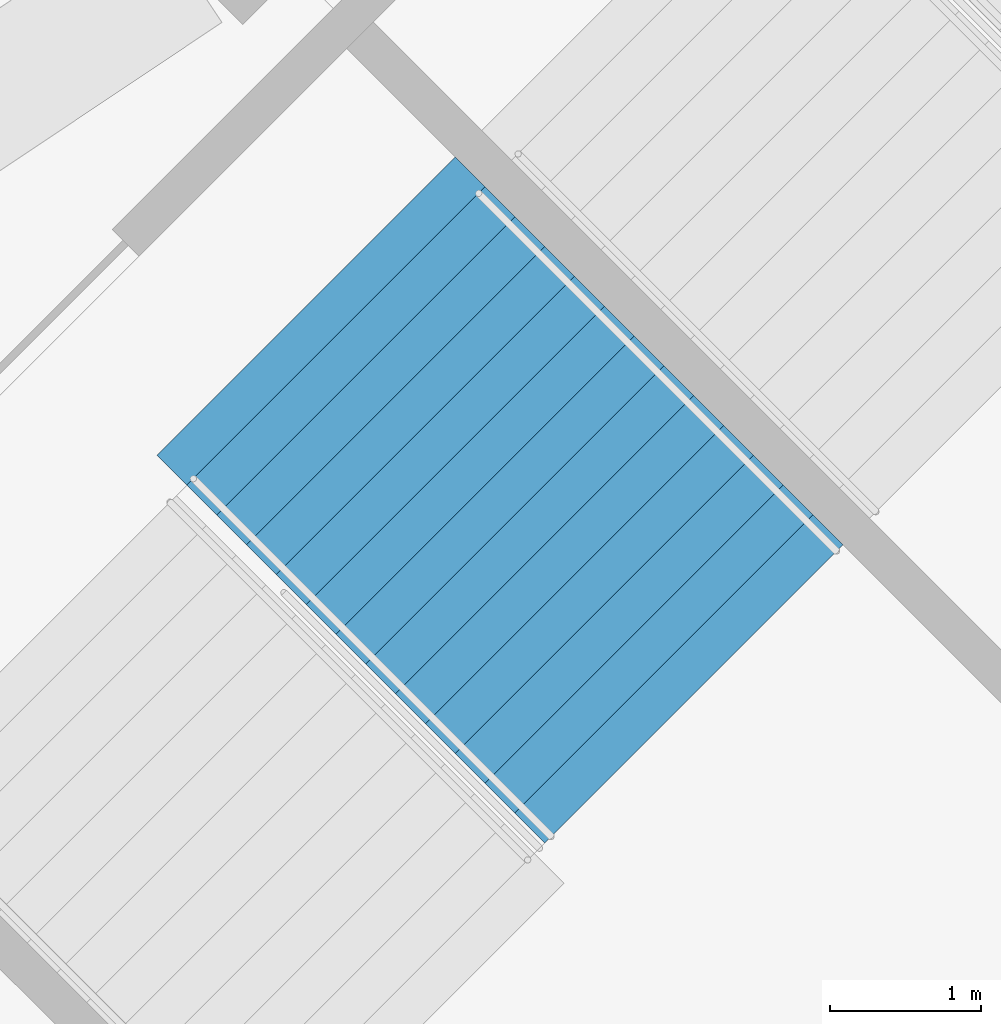
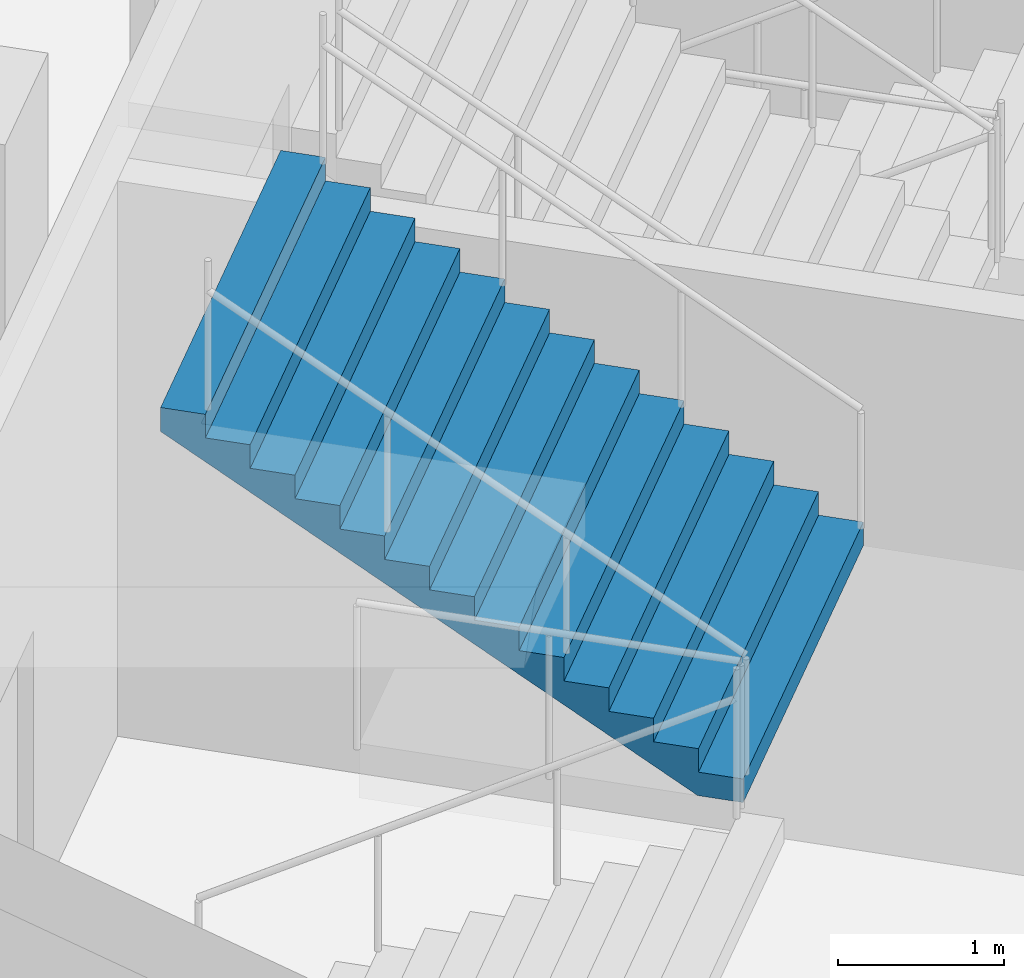
# One storey, part 88 of 175: 1 stair flight, 1 element without a shape of its own.
"""IFC4 building model written with IfcOpenShell, lengths in metres."""

import ifcopenshell
import ifcopenshell.guid

model = None  # the IFC model being written
_history = None  # IfcOwnerHistory: only IFC2X3 demands one
_inside = {}  # id of a spatial element -> (the spatial element, [elements in it])
_under = {}  # id of a project, library or spatial element -> (it, [spatial elements below it])
_declared = {}  # id of a project -> (the project, [libraries it declares])
_typed = {}  # id of a type object -> (the type object, [elements of that type])
_made_of = {}  # id of a material, layer set ... -> (it, [elements and type objects made of it])


def new_model(schema):
    """Start an empty IFC model of exactly this schema.

    Asked for "IFC4X3", IfcOpenShell would pick the latest addendum, in which some entities
    have other attributes; the version numbers below select the first issue.
    IFC2X3 requires an IfcOwnerHistory on every rooted entity: one is made here for all.
    """
    global model, _history
    if schema == "IFC4X3":
        model = ifcopenshell.file(schema_version=(4, 3, 0, 0))
    else:
        model = ifcopenshell.file(schema=schema)
    _inside.clear()
    _under.clear()
    _declared.clear()
    _typed.clear()
    _made_of.clear()
    _history = None
    if model.schema == "IFC2X3":
        org = make("IfcOrganization", Name="unknown")
        user = make(
            "IfcPersonAndOrganization",
            ThePerson=make("IfcPerson", FamilyName="unknown"),
            TheOrganization=org,
        )
        app = make(
            "IfcApplication",
            ApplicationDeveloper=org,
            Version="unknown",
            ApplicationFullName="unknown",
            ApplicationIdentifier="unknown",
        )
        _history = make(
            "IfcOwnerHistory",
            OwningUser=user,
            OwningApplication=app,
            ChangeAction="ADDED",
            CreationDate=0,
        )
    return model


def make(cls, **values):
    """One entity of the class cls with the attributes given. An attribute that is None is left unset."""
    return model.create_entity(
        cls, **{name: value for name, value in values.items() if value is not None}
    )


def rooted(cls, **values):
    """An entity with a GlobalId (a new one), such as an element, a storey or a relation."""
    return make(cls, GlobalId=ifcopenshell.guid.new(), OwnerHistory=_history, **values)


def si_unit(unit_type, name, prefix=None):
    """IfcSIUnit, for example si_unit("LENGTHUNIT", "METRE", prefix="MILLI")."""
    return make("IfcSIUnit", UnitType=unit_type, Prefix=prefix, Name=name)


def assignment(units):
    """IfcUnitAssignment: the units of a project."""
    return None if units is None else make("IfcUnitAssignment", Units=units)


def point(xyz):
    """IfcCartesianPoint."""
    return None if xyz is None else make("IfcCartesianPoint", Coordinates=xyz)


def direction(xyz):
    """IfcDirection."""
    return None if xyz is None else make("IfcDirection", DirectionRatios=xyz)


def frame(location, z_axis=None, x_axis=None):
    """IfcAxis2Placement3D, a coordinate frame: its origin and axes. An axis left out is left unset."""
    return make(
        "IfcAxis2Placement3D",
        Location=point(location),
        Axis=direction(z_axis),
        RefDirection=direction(x_axis),
    )


def origin():
    """The frame at (0, 0, 0) with its axes left unset."""
    return frame((0.0, 0.0, 0.0))


def place(relative_to, where):
    """IfcLocalPlacement: puts the frame where relative to a parent placement (None: the world)."""
    return make(
        "IfcLocalPlacement", PlacementRelTo=relative_to, RelativePlacement=where
    )


def context(
    kind, dimensions, precision=None, world=None, true_north=None, identifier=None
):
    """IfcGeometricRepresentationContext, for example the 3D "Model" context."""
    return make(
        "IfcGeometricRepresentationContext",
        ContextIdentifier=identifier,
        ContextType=kind,
        CoordinateSpaceDimension=dimensions,
        Precision=precision,
        WorldCoordinateSystem=world,
        TrueNorth=true_north,
    )


def subcontext(parent, identifier, kind, view, scale=None):
    """IfcGeometricRepresentationSubContext, for example "Body" below "Model"."""
    return make(
        "IfcGeometricRepresentationSubContext",
        ContextIdentifier=identifier,
        ContextType=kind,
        ParentContext=parent,
        TargetScale=scale,
        TargetView=view,
    )


def project(units=None, contexts=None):
    """IfcProject with its units and contexts."""
    return rooted(
        "IfcProject",
        Name="project",
        RepresentationContexts=contexts,
        UnitsInContext=assignment(units),
    )


def spatial(cls, under=None, at=None, **own):
    """A site, building, storey or space (cls), placed at a placement, below another one or the project."""
    s = rooted(cls, ObjectPlacement=at, **own)
    if under is not None:
        _under.setdefault(under.id(), (under, []))[1].append(s)
    return s


def faces_of(points, faces, orient=None, outer=None):
    """IfcFace entities. A face is a list of loops; a loop is a list of indices into points, from 0.

    orient and outer hold one flag for each loop. By default every Orientation is true, the
    first loop of a face is its IfcFaceOuterBound and the others are IfcFaceBound.
    """
    made = []
    for i, loops in enumerate(faces):
        bounds = []
        for j, loop in enumerate(loops):
            is_outer = j == 0 if outer is None else outer[i][j]
            bounds.append(
                make(
                    "IfcFaceOuterBound" if is_outer else "IfcFaceBound",
                    Bound=make("IfcPolyLoop", Polygon=[points[k] for k in loop]),
                    Orientation=True if orient is None else orient[i][j],
                )
            )
        made.append(make("IfcFace", Bounds=bounds))
    return made


def faceted_brep(points, faces, orient=None, outer=None, voids=None):
    """IfcFacetedBrep: a solid bounded by flat faces; with voids (closed shells), ...WithVoids."""
    shared = [point(p) for p in points]
    hull = make("IfcClosedShell", CfsFaces=faces_of(shared, faces, orient, outer))
    if voids is None:
        return make("IfcFacetedBrep", Outer=hull)
    return make(
        "IfcFacetedBrepWithVoids",
        Outer=hull,
        Voids=[
            make(cls, CfsFaces=faces_of(shared, fs, o, b)) for cls, fs, o, b in voids
        ],
    )


def shape(context_of_items, identifier, shape_type, items):
    """IfcShapeRepresentation: the items that make up one representation, for example the "Body"."""
    return make(
        "IfcShapeRepresentation",
        ContextOfItems=context_of_items,
        RepresentationIdentifier=identifier,
        RepresentationType=shape_type,
        Items=items,
    )


def material(Name=None, Category=None):
    """IfcMaterial."""
    return make("IfcMaterial", Name=Name, Category=Category)


def made_of(thing, what):
    """Note that an element or type object is made of a material, layer set ...; save() writes the relation."""
    if what is not None:
        _made_of.setdefault(what.id(), (what, []))[1].append(thing)
    return thing


def type_object(cls, material=None, **own):
    """A type object (cls), such as IfcWallType, which elements share."""
    return made_of(rooted(cls, **own), material)


def element(
    cls,
    number,
    at=None,
    inside=None,
    cuts=None,
    type_object=None,
    material=None,
    context=None,
    identifier="Body",
    shape_type=None,
    held_by="IfcProductDefinitionShape",
    body=None,
    shapes=None,
    **own,
):
    """One element of the class cls, such as IfcWall. Its Tag is "e" and its number.

    at: its placement. inside: the storey or other place that contains it. cuts: it is an
    opening in that element (IfcRelVoidsElement). A single representation is given by context,
    identifier, shape_type and body (its items); several are given by shapes. held_by: the class
    of the entity that holds the representations. save() writes the other relations.
    """
    e = rooted(cls, Tag="e%d" % number, ObjectPlacement=at, **own)
    if body is not None:
        shapes = [shape(context, identifier, shape_type, body)]
    if shapes is not None:
        e.Representation = make(held_by, Representations=shapes)
    if inside is not None:
        _inside.setdefault(inside.id(), (inside, []))[1].append(e)
    if cuts is not None:
        rooted(
            "IfcRelVoidsElement", RelatingBuildingElement=cuts, RelatedOpeningElement=e
        )
    if type_object is not None:
        _typed.setdefault(type_object.id(), (type_object, []))[1].append(e)
    return made_of(e, material)


def aggregate(whole, parts):
    """IfcRelAggregates: a whole, such as a stair, and the parts it consists of."""
    return rooted("IfcRelAggregates", RelatingObject=whole, RelatedObjects=parts)


def save(model, path):
    """Write the relations noted so far, then the file.

    IfcRelAggregates (storeys below a building ...), IfcRelContainedInSpatialStructure (elements
    in a storey), IfcRelDefinesByType, IfcRelAssociatesMaterial and IfcRelDeclares: one each for
    every whole, place, type object, material and project.
    """
    for whole, parts in _under.values():
        aggregate(whole, parts)
    for where, things in _inside.values():
        rooted(
            "IfcRelContainedInSpatialStructure",
            RelatedElements=things,
            RelatingStructure=where,
        )
    for kind, things in _typed.values():
        rooted("IfcRelDefinesByType", RelatedObjects=things, RelatingType=kind)
    for what, things in _made_of.values():
        rooted("IfcRelAssociatesMaterial", RelatedObjects=things, RelatingMaterial=what)
    for by, libraries in _declared.values():
        rooted("IfcRelDeclares", RelatingContext=by, RelatedDefinitions=libraries)
    model.write(path)


model = new_model("IFC4")

# Units and contexts
model_context = context("Model", 3, precision=1e-05, world=origin(), true_north=direction((0.0, 1.0)))
body_context = subcontext(model_context, "Body", "Model", "MODEL_VIEW")
ifc_project = project(units=[si_unit("LENGTHUNIT", "METRE"), si_unit("AREAUNIT", "SQUARE_METRE"), si_unit("VOLUMEUNIT", "CUBIC_METRE"), si_unit("PLANEANGLEUNIT", "RADIAN"), si_unit("MASSUNIT", "GRAM", prefix="KILO")], contexts=[model_context])

# Site, building, storey
site_placement = place(None, origin())
site = spatial("IfcSite", under=ifc_project, at=site_placement, CompositionType="ELEMENT")
building_placement = place(site_placement, origin())
building = spatial("IfcBuilding", under=site, at=building_placement, Name="Ogive Plaza Stadium", CompositionType="ELEMENT")
storey_placement = place(building_placement, origin())
storey = spatial("IfcBuildingStorey", under=building, at=storey_placement, Name="L00", CompositionType="ELEMENT", Elevation=0.0)

# Stair, stair flight
ifc_material_1 = material(Name="Concrete C40/50", Category="concrete")
stair_type = type_object("IfcStairType", Name="Exit stair", PredefinedType="STRAIGHT_RUN_STAIR", material=ifc_material_1)
stair_placement = place(storey_placement, origin())
stair = element("IfcStair", 1, at=stair_placement, inside=storey, type_object=stair_type, Name="Exit stair ST10A L00 to L01", PredefinedType="STRAIGHT_RUN_STAIR")
ifc_material_2 = material(Name="Concrete C40/50", Category="concrete")
stair_flight_type = type_object("IfcStairFlightType", Name="Exit stair flight", PredefinedType="STRAIGHT", material=ifc_material_2)
stair_flight_placement = place(storey_placement, frame((65.243408203125, -85.900146484375, 2.25), z_axis=(0.0, 0.0, 1.0), x_axis=(-0.707106781187, 0.707106781187, 0.0)))
stair_flight = element("IfcStairFlight", 2, at=stair_flight_placement, type_object=stair_flight_type, Name="ST10A flight 2", NumberOfRisers=13, NumberOfTreads=12, PredefinedType="STRAIGHT", RiserHeight=0.173076923, TreadLength=0.28, context=body_context, shape_type="Brep", body=[
    faceted_brep([(0.28515625, -1.39990234375, 0.0), (3.639892578125, -1.39990234375, 2.07373046875), (3.639892578125, -1.39990234375, 2.25), (3.360107421875, -1.39990234375, 2.25), (3.360107421875, -1.39990234375, 2.076904296875), (3.080078125, -1.39990234375, 2.076904296875), (3.080078125, -1.39990234375, 1.90380859375), (2.800048828125, -1.39990234375, 1.90380859375), (2.800048828125, -1.39990234375, 1.730712890625), (2.52001953125, -1.39990234375, 1.730712890625), (2.52001953125, -1.39990234375, 1.5576171875), (2.239990234375, -1.39990234375, 1.5576171875), (2.239990234375, -1.39990234375, 1.384521484375), (1.9599609375, -1.39990234375, 1.384521484375), (1.9599609375, -1.39990234375, 1.21142578125), (1.679931640625, -1.39990234375, 1.21142578125), (1.679931640625, -1.39990234375, 1.03857421875), (1.39990234375, -1.39990234375, 1.03857421875), (1.39990234375, -1.39990234375, 0.865478515625), (1.1201171875, -1.39990234375, 0.865478515625), (1.1201171875, -1.39990234375, 0.6923828125), (0.840087890625, -1.39990234375, 0.6923828125), (0.840087890625, -1.39990234375, 0.519287109375), (0.56005859375, -1.39990234375, 0.519287109375), (0.56005859375, -1.39990234375, 0.34619140625), (0.280029296875, -1.39990234375, 0.34619140625), (0.280029296875, -1.39990234375, 0.173095703125), (0.0, -1.39990234375, 0.173095703125), (0.0, -1.39990234375, 0.0), (0.0, 1.39990234375, 0.0), (0.0, 1.39990234375, 0.173095703125), (0.280029296875, 1.39990234375, 0.173095703125), (0.280029296875, 1.39990234375, 0.34619140625), (0.56005859375, 1.39990234375, 0.34619140625), (0.56005859375, 1.39990234375, 0.519287109375), (0.840087890625, 1.39990234375, 0.519287109375), (0.840087890625, 1.39990234375, 0.6923828125), (1.1201171875, 1.39990234375, 0.6923828125), (1.1201171875, 1.39990234375, 0.865478515625), (1.39990234375, 1.39990234375, 0.865478515625), (1.39990234375, 1.39990234375, 1.03857421875), (1.679931640625, 1.39990234375, 1.03857421875), (1.679931640625, 1.39990234375, 1.21142578125), (1.9599609375, 1.39990234375, 1.21142578125), (1.9599609375, 1.39990234375, 1.384521484375), (2.239990234375, 1.39990234375, 1.384521484375), (2.239990234375, 1.39990234375, 1.5576171875), (2.52001953125, 1.39990234375, 1.5576171875), (2.52001953125, 1.39990234375, 1.730712890625), (2.800048828125, 1.39990234375, 1.730712890625), (2.800048828125, 1.39990234375, 1.90380859375), (3.080078125, 1.39990234375, 1.90380859375), (3.080078125, 1.39990234375, 2.076904296875), (3.360107421875, 1.39990234375, 2.076904296875), (3.360107421875, 1.39990234375, 2.25), (3.639892578125, 1.39990234375, 2.25), (3.639892578125, 1.39990234375, 2.07373046875), (0.28515625, 1.39990234375, 0.0), (0.28515625, -1.0888671875, 0.0), (3.639892578125, -1.0888671875, 2.07373046875), (0.28515625, -0.77783203125, 0.0), (3.639892578125, -0.77783203125, 2.07373046875), (0.28515625, -0.466796875, 0.0), (3.639892578125, -0.466796875, 2.07373046875), (0.28515625, -0.155517578125, 0.0), (3.639892578125, -0.155517578125, 2.07373046875), (0.28515625, 0.155517578125, 0.0), (3.639892578125, 0.155517578125, 2.07373046875), (0.28515625, 0.466796875, 0.0), (3.639892578125, 0.466796875, 2.07373046875), (0.28515625, 0.77783203125, 0.0), (3.639892578125, 0.77783203125, 2.07373046875), (0.28515625, 1.0888671875, 0.0), (3.639892578125, 1.0888671875, 2.07373046875), (3.639892578125, -1.0888671875, 2.25), (3.639892578125, -0.77783203125, 2.25), (3.639892578125, -0.466796875, 2.25), (3.639892578125, -0.155517578125, 2.25), (3.639892578125, 0.155517578125, 2.25), (3.639892578125, 0.466796875, 2.25), (3.639892578125, 0.77783203125, 2.25), (3.639892578125, 1.0888671875, 2.25), (3.360107421875, -1.0888671875, 2.25), (3.360107421875, -0.77783203125, 2.25), (3.360107421875, -0.466796875, 2.25), (3.360107421875, -0.155517578125, 2.25), (3.360107421875, 0.155517578125, 2.25), (3.360107421875, 0.466796875, 2.25), (3.360107421875, 0.77783203125, 2.25), (3.360107421875, 1.0888671875, 2.25), (3.360107421875, -1.0888671875, 2.076904296875), (3.360107421875, -0.77783203125, 2.076904296875), (3.360107421875, -0.466796875, 2.076904296875), (3.360107421875, -0.155517578125, 2.076904296875), (3.360107421875, 0.155517578125, 2.076904296875), (3.360107421875, 0.466796875, 2.076904296875), (3.360107421875, 0.77783203125, 2.076904296875), (3.360107421875, 1.0888671875, 2.076904296875), (3.080078125, -1.0888671875, 2.076904296875), (3.080078125, -0.77783203125, 2.076904296875), (3.080078125, -0.466796875, 2.076904296875), (3.080078125, -0.155517578125, 2.076904296875), (3.080078125, 0.155517578125, 2.076904296875), (3.080078125, 0.466796875, 2.076904296875), (3.080078125, 0.77783203125, 2.076904296875), (3.080078125, 1.0888671875, 2.076904296875), (3.080078125, -1.0888671875, 1.90380859375), (3.080078125, -0.77783203125, 1.90380859375), (3.080078125, -0.466796875, 1.90380859375), (3.080078125, -0.155517578125, 1.90380859375), (3.080078125, 0.155517578125, 1.90380859375), (3.080078125, 0.466796875, 1.90380859375), (3.080078125, 0.77783203125, 1.90380859375), (3.080078125, 1.0888671875, 1.90380859375), (2.800048828125, -1.0888671875, 1.90380859375), (2.800048828125, -0.77783203125, 1.90380859375), (2.800048828125, -0.466796875, 1.90380859375), (2.800048828125, -0.155517578125, 1.90380859375), (2.800048828125, 0.155517578125, 1.90380859375), (2.800048828125, 0.466796875, 1.90380859375), (2.800048828125, 0.77783203125, 1.90380859375), (2.800048828125, 1.0888671875, 1.90380859375), (2.800048828125, -1.0888671875, 1.730712890625), (2.800048828125, -0.77783203125, 1.730712890625), (2.800048828125, -0.466796875, 1.730712890625), (2.800048828125, -0.155517578125, 1.730712890625), (2.800048828125, 0.155517578125, 1.730712890625), (2.800048828125, 0.466796875, 1.730712890625), (2.800048828125, 0.77783203125, 1.730712890625), (2.800048828125, 1.0888671875, 1.730712890625), (2.52001953125, -1.0888671875, 1.730712890625), (2.52001953125, -0.77783203125, 1.730712890625), (2.52001953125, -0.466796875, 1.730712890625), (2.52001953125, -0.155517578125, 1.730712890625), (2.52001953125, 0.155517578125, 1.730712890625), (2.52001953125, 0.466796875, 1.730712890625), (2.52001953125, 0.77783203125, 1.730712890625), (2.52001953125, 1.0888671875, 1.730712890625), (2.52001953125, -1.0888671875, 1.5576171875), (2.52001953125, -0.77783203125, 1.5576171875), (2.52001953125, -0.466796875, 1.5576171875), (2.52001953125, -0.155517578125, 1.5576171875), (2.52001953125, 0.155517578125, 1.5576171875), (2.52001953125, 0.466796875, 1.5576171875), (2.52001953125, 0.77783203125, 1.5576171875), (2.52001953125, 1.0888671875, 1.5576171875), (2.239990234375, -1.0888671875, 1.5576171875), (2.239990234375, -0.77783203125, 1.5576171875), (2.239990234375, -0.466796875, 1.5576171875), (2.239990234375, -0.155517578125, 1.5576171875), (2.239990234375, 0.155517578125, 1.5576171875), (2.239990234375, 0.466796875, 1.5576171875), (2.239990234375, 0.77783203125, 1.5576171875), (2.239990234375, 1.0888671875, 1.5576171875), (2.239990234375, -1.0888671875, 1.384521484375), (2.239990234375, -0.77783203125, 1.384521484375), (2.239990234375, -0.466796875, 1.384521484375), (2.239990234375, -0.155517578125, 1.384521484375), (2.239990234375, 0.155517578125, 1.384521484375), (2.239990234375, 0.466796875, 1.384521484375), (2.239990234375, 0.77783203125, 1.384521484375), (2.239990234375, 1.0888671875, 1.384521484375), (1.9599609375, -1.0888671875, 1.384521484375), (1.9599609375, -0.77783203125, 1.384521484375), (1.9599609375, -0.466796875, 1.384521484375), (1.9599609375, -0.155517578125, 1.384521484375), (1.9599609375, 0.155517578125, 1.384521484375), (1.9599609375, 0.466796875, 1.384521484375), (1.9599609375, 0.77783203125, 1.384521484375), (1.9599609375, 1.0888671875, 1.384521484375), (1.9599609375, -1.0888671875, 1.21142578125), (1.9599609375, -0.77783203125, 1.21142578125), (1.9599609375, -0.466796875, 1.21142578125), (1.9599609375, -0.155517578125, 1.21142578125), (1.9599609375, 0.155517578125, 1.21142578125), (1.9599609375, 0.466796875, 1.21142578125), (1.9599609375, 0.77783203125, 1.21142578125), (1.9599609375, 1.0888671875, 1.21142578125), (1.679931640625, -1.0888671875, 1.21142578125), (1.679931640625, -0.77783203125, 1.21142578125), (1.679931640625, -0.466796875, 1.21142578125), (1.679931640625, -0.155517578125, 1.21142578125), (1.679931640625, 0.155517578125, 1.21142578125), (1.679931640625, 0.466796875, 1.21142578125), (1.679931640625, 0.77783203125, 1.21142578125), (1.679931640625, 1.0888671875, 1.21142578125), (1.679931640625, -1.0888671875, 1.03857421875), (1.679931640625, -0.77783203125, 1.03857421875), (1.679931640625, -0.466796875, 1.03857421875), (1.679931640625, -0.155517578125, 1.03857421875), (1.679931640625, 0.155517578125, 1.03857421875), (1.679931640625, 0.466796875, 1.03857421875), (1.679931640625, 0.77783203125, 1.03857421875), (1.679931640625, 1.0888671875, 1.03857421875), (1.39990234375, -1.0888671875, 1.03857421875), (1.39990234375, -0.77783203125, 1.03857421875), (1.39990234375, -0.466796875, 1.03857421875), (1.39990234375, -0.155517578125, 1.03857421875), (1.39990234375, 0.155517578125, 1.03857421875), (1.39990234375, 0.466796875, 1.03857421875), (1.39990234375, 0.77783203125, 1.03857421875), (1.39990234375, 1.0888671875, 1.03857421875), (1.39990234375, -1.0888671875, 0.865478515625), (1.39990234375, -0.77783203125, 0.865478515625), (1.39990234375, -0.466796875, 0.865478515625), (1.39990234375, -0.155517578125, 0.865478515625), (1.39990234375, 0.155517578125, 0.865478515625), (1.39990234375, 0.466796875, 0.865478515625), (1.39990234375, 0.77783203125, 0.865478515625), (1.39990234375, 1.0888671875, 0.865478515625), (1.1201171875, -1.0888671875, 0.865478515625), (1.1201171875, -0.77783203125, 0.865478515625), (1.1201171875, -0.466796875, 0.865478515625), (1.1201171875, -0.155517578125, 0.865478515625), (1.1201171875, 0.155517578125, 0.865478515625), (1.1201171875, 0.466796875, 0.865478515625), (1.1201171875, 0.77783203125, 0.865478515625), (1.1201171875, 1.0888671875, 0.865478515625), (1.1201171875, -1.0888671875, 0.6923828125), (1.1201171875, -0.77783203125, 0.6923828125), (1.1201171875, -0.466796875, 0.6923828125), (1.1201171875, -0.155517578125, 0.6923828125), (1.1201171875, 0.155517578125, 0.6923828125), (1.1201171875, 0.466796875, 0.6923828125), (1.1201171875, 0.77783203125, 0.6923828125), (1.1201171875, 1.0888671875, 0.6923828125), (0.840087890625, -1.0888671875, 0.6923828125), (0.840087890625, -0.77783203125, 0.6923828125), (0.840087890625, -0.466796875, 0.6923828125), (0.840087890625, -0.155517578125, 0.6923828125), (0.840087890625, 0.155517578125, 0.6923828125), (0.840087890625, 0.466796875, 0.6923828125), (0.840087890625, 0.77783203125, 0.6923828125), (0.840087890625, 1.0888671875, 0.6923828125), (0.840087890625, -1.0888671875, 0.519287109375), (0.840087890625, -0.77783203125, 0.519287109375), (0.840087890625, -0.466796875, 0.519287109375), (0.840087890625, -0.155517578125, 0.519287109375), (0.840087890625, 0.155517578125, 0.519287109375), (0.840087890625, 0.466796875, 0.519287109375), (0.840087890625, 0.77783203125, 0.519287109375), (0.840087890625, 1.0888671875, 0.519287109375), (0.56005859375, -1.0888671875, 0.519287109375), (0.56005859375, -0.77783203125, 0.519287109375), (0.56005859375, -0.466796875, 0.519287109375), (0.56005859375, -0.155517578125, 0.519287109375), (0.56005859375, 0.155517578125, 0.519287109375), (0.56005859375, 0.466796875, 0.519287109375), (0.56005859375, 0.77783203125, 0.519287109375), (0.56005859375, 1.0888671875, 0.519287109375), (0.56005859375, -1.0888671875, 0.34619140625), (0.56005859375, -0.77783203125, 0.34619140625), (0.56005859375, -0.466796875, 0.34619140625), (0.56005859375, -0.155517578125, 0.34619140625), (0.56005859375, 0.155517578125, 0.34619140625), (0.56005859375, 0.466796875, 0.34619140625), (0.56005859375, 0.77783203125, 0.34619140625), (0.56005859375, 1.0888671875, 0.34619140625), (0.280029296875, -1.0888671875, 0.34619140625), (0.280029296875, -0.77783203125, 0.34619140625), (0.280029296875, -0.466796875, 0.34619140625), (0.280029296875, -0.155517578125, 0.34619140625), (0.280029296875, 0.155517578125, 0.34619140625), (0.280029296875, 0.466796875, 0.34619140625), (0.280029296875, 0.77783203125, 0.34619140625), (0.280029296875, 1.0888671875, 0.34619140625), (0.280029296875, -1.0888671875, 0.173095703125), (0.280029296875, -0.77783203125, 0.173095703125), (0.280029296875, -0.466796875, 0.173095703125), (0.280029296875, -0.155517578125, 0.173095703125), (0.280029296875, 0.155517578125, 0.173095703125), (0.280029296875, 0.466796875, 0.173095703125), (0.280029296875, 0.77783203125, 0.173095703125), (0.280029296875, 1.0888671875, 0.173095703125), (0.0, -1.0888671875, 0.173095703125), (0.0, -0.77783203125, 0.173095703125), (0.0, -0.466796875, 0.173095703125), (0.0, -0.155517578125, 0.173095703125), (0.0, 0.155517578125, 0.173095703125), (0.0, 0.466796875, 0.173095703125), (0.0, 0.77783203125, 0.173095703125), (0.0, 1.0888671875, 0.173095703125), (0.0, -1.0888671875, 0.0), (0.0, -0.77783203125, 0.0), (0.0, -0.466796875, 0.0), (0.0, -0.155517578125, 0.0), (0.0, 0.155517578125, 0.0), (0.0, 0.466796875, 0.0), (0.0, 0.77783203125, 0.0), (0.0, 1.0888671875, 0.0)], [[[0, 1, 2, 3, 4, 5, 6, 7, 8, 9, 10, 11, 12, 13, 14, 15, 16, 17, 18, 19, 20, 21, 22, 23, 24, 25, 26, 27, 28]], [[29, 30, 31, 32, 33, 34, 35, 36, 37, 38, 39, 40, 41, 42, 43, 44, 45, 46, 47, 48, 49, 50, 51, 52, 53, 54, 55, 56, 57]], [[0, 58, 59, 1]], [[58, 60, 61, 59]], [[60, 62, 63, 61]], [[62, 64, 65, 63]], [[64, 66, 67, 65]], [[66, 68, 69, 67]], [[68, 70, 71, 69]], [[70, 72, 73, 71]], [[72, 57, 56, 73]], [[1, 59, 74, 2]], [[59, 61, 75, 74]], [[61, 63, 76, 75]], [[63, 65, 77, 76]], [[65, 67, 78, 77]], [[67, 69, 79, 78]], [[69, 71, 80, 79]], [[71, 73, 81, 80]], [[73, 56, 55, 81]], [[2, 74, 82, 3]], [[74, 75, 83, 82]], [[75, 76, 84, 83]], [[76, 77, 85, 84]], [[77, 78, 86, 85]], [[78, 79, 87, 86]], [[79, 80, 88, 87]], [[80, 81, 89, 88]], [[81, 55, 54, 89]], [[3, 82, 90, 4]], [[82, 83, 91, 90]], [[83, 84, 92, 91]], [[84, 85, 93, 92]], [[85, 86, 94, 93]], [[86, 87, 95, 94]], [[87, 88, 96, 95]], [[88, 89, 97, 96]], [[89, 54, 53, 97]], [[4, 90, 98, 5]], [[90, 91, 99, 98]], [[91, 92, 100, 99]], [[92, 93, 101, 100]], [[93, 94, 102, 101]], [[94, 95, 103, 102]], [[95, 96, 104, 103]], [[96, 97, 105, 104]], [[97, 53, 52, 105]], [[5, 98, 106, 6]], [[98, 99, 107, 106]], [[99, 100, 108, 107]], [[100, 101, 109, 108]], [[101, 102, 110, 109]], [[102, 103, 111, 110]], [[103, 104, 112, 111]], [[104, 105, 113, 112]], [[105, 52, 51, 113]], [[6, 106, 114, 7]], [[106, 107, 115, 114]], [[107, 108, 116, 115]], [[108, 109, 117, 116]], [[109, 110, 118, 117]], [[110, 111, 119, 118]], [[111, 112, 120, 119]], [[112, 113, 121, 120]], [[113, 51, 50, 121]], [[7, 114, 122, 8]], [[114, 115, 123, 122]], [[115, 116, 124, 123]], [[116, 117, 125, 124]], [[117, 118, 126, 125]], [[118, 119, 127, 126]], [[119, 120, 128, 127]], [[120, 121, 129, 128]], [[121, 50, 49, 129]], [[8, 122, 130, 9]], [[122, 123, 131, 130]], [[123, 124, 132, 131]], [[124, 125, 133, 132]], [[125, 126, 134, 133]], [[126, 127, 135, 134]], [[127, 128, 136, 135]], [[128, 129, 137, 136]], [[129, 49, 48, 137]], [[9, 130, 138, 10]], [[130, 131, 139, 138]], [[131, 132, 140, 139]], [[132, 133, 141, 140]], [[133, 134, 142, 141]], [[134, 135, 143, 142]], [[135, 136, 144, 143]], [[136, 137, 145, 144]], [[137, 48, 47, 145]], [[10, 138, 146, 11]], [[138, 139, 147, 146]], [[139, 140, 148, 147]], [[140, 141, 149, 148]], [[141, 142, 150, 149]], [[142, 143, 151, 150]], [[143, 144, 152, 151]], [[144, 145, 153, 152]], [[145, 47, 46, 153]], [[11, 146, 154, 12]], [[146, 147, 155, 154]], [[147, 148, 156, 155]], [[148, 149, 157, 156]], [[149, 150, 158, 157]], [[150, 151, 159, 158]], [[151, 152, 160, 159]], [[152, 153, 161, 160]], [[153, 46, 45, 161]], [[12, 154, 162, 13]], [[154, 155, 163, 162]], [[155, 156, 164, 163]], [[156, 157, 165, 164]], [[157, 158, 166, 165]], [[158, 159, 167, 166]], [[159, 160, 168, 167]], [[160, 161, 169, 168]], [[161, 45, 44, 169]], [[13, 162, 170, 14]], [[162, 163, 171, 170]], [[163, 164, 172, 171]], [[164, 165, 173, 172]], [[165, 166, 174, 173]], [[166, 167, 175, 174]], [[167, 168, 176, 175]], [[168, 169, 177, 176]], [[169, 44, 43, 177]], [[14, 170, 178, 15]], [[170, 171, 179, 178]], [[171, 172, 180, 179]], [[172, 173, 181, 180]], [[173, 174, 182, 181]], [[174, 175, 183, 182]], [[175, 176, 184, 183]], [[176, 177, 185, 184]], [[177, 43, 42, 185]], [[15, 178, 186, 16]], [[178, 179, 187, 186]], [[179, 180, 188, 187]], [[180, 181, 189, 188]], [[181, 182, 190, 189]], [[182, 183, 191, 190]], [[183, 184, 192, 191]], [[184, 185, 193, 192]], [[185, 42, 41, 193]], [[16, 186, 194, 17]], [[186, 187, 195, 194]], [[187, 188, 196, 195]], [[188, 189, 197, 196]], [[189, 190, 198, 197]], [[190, 191, 199, 198]], [[191, 192, 200, 199]], [[192, 193, 201, 200]], [[193, 41, 40, 201]], [[17, 194, 202, 18]], [[194, 195, 203, 202]], [[195, 196, 204, 203]], [[196, 197, 205, 204]], [[197, 198, 206, 205]], [[198, 199, 207, 206]], [[199, 200, 208, 207]], [[200, 201, 209, 208]], [[201, 40, 39, 209]], [[18, 202, 210, 19]], [[202, 203, 211, 210]], [[203, 204, 212, 211]], [[204, 205, 213, 212]], [[205, 206, 214, 213]], [[206, 207, 215, 214]], [[207, 208, 216, 215]], [[208, 209, 217, 216]], [[209, 39, 38, 217]], [[19, 210, 218, 20]], [[210, 211, 219, 218]], [[211, 212, 220, 219]], [[212, 213, 221, 220]], [[213, 214, 222, 221]], [[214, 215, 223, 222]], [[215, 216, 224, 223]], [[216, 217, 225, 224]], [[217, 38, 37, 225]], [[20, 218, 226, 21]], [[218, 219, 227, 226]], [[219, 220, 228, 227]], [[220, 221, 229, 228]], [[221, 222, 230, 229]], [[222, 223, 231, 230]], [[223, 224, 232, 231]], [[224, 225, 233, 232]], [[225, 37, 36, 233]], [[21, 226, 234, 22]], [[226, 227, 235, 234]], [[227, 228, 236, 235]], [[228, 229, 237, 236]], [[229, 230, 238, 237]], [[230, 231, 239, 238]], [[231, 232, 240, 239]], [[232, 233, 241, 240]], [[233, 36, 35, 241]], [[22, 234, 242, 23]], [[234, 235, 243, 242]], [[235, 236, 244, 243]], [[236, 237, 245, 244]], [[237, 238, 246, 245]], [[238, 239, 247, 246]], [[239, 240, 248, 247]], [[240, 241, 249, 248]], [[241, 35, 34, 249]], [[23, 242, 250, 24]], [[242, 243, 251, 250]], [[243, 244, 252, 251]], [[244, 245, 253, 252]], [[245, 246, 254, 253]], [[246, 247, 255, 254]], [[247, 248, 256, 255]], [[248, 249, 257, 256]], [[249, 34, 33, 257]], [[24, 250, 258, 25]], [[250, 251, 259, 258]], [[251, 252, 260, 259]], [[252, 253, 261, 260]], [[253, 254, 262, 261]], [[254, 255, 263, 262]], [[255, 256, 264, 263]], [[256, 257, 265, 264]], [[257, 33, 32, 265]], [[25, 258, 266, 26]], [[258, 259, 267, 266]], [[259, 260, 268, 267]], [[260, 261, 269, 268]], [[261, 262, 270, 269]], [[262, 263, 271, 270]], [[263, 264, 272, 271]], [[264, 265, 273, 272]], [[265, 32, 31, 273]], [[26, 266, 274, 27]], [[266, 267, 275, 274]], [[267, 268, 276, 275]], [[268, 269, 277, 276]], [[269, 270, 278, 277]], [[270, 271, 279, 278]], [[271, 272, 280, 279]], [[272, 273, 281, 280]], [[273, 31, 30, 281]], [[27, 274, 282, 28]], [[274, 275, 283, 282]], [[275, 276, 284, 283]], [[276, 277, 285, 284]], [[277, 278, 286, 285]], [[278, 279, 287, 286]], [[279, 280, 288, 287]], [[280, 281, 289, 288]], [[281, 30, 29, 289]], [[28, 282, 58, 0]], [[282, 283, 60, 58]], [[283, 284, 62, 60]], [[284, 285, 64, 62]], [[285, 286, 66, 64]], [[286, 287, 68, 66]], [[287, 288, 70, 68]], [[288, 289, 72, 70]], [[289, 29, 57, 72]]]),
])
aggregate(stair, [stair_flight])

save(model, "model.ifc")
